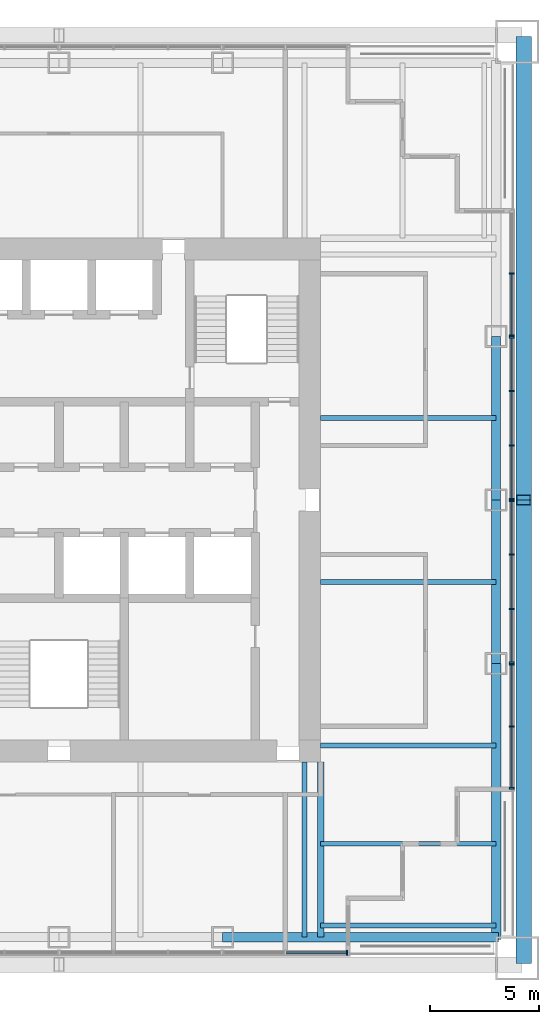
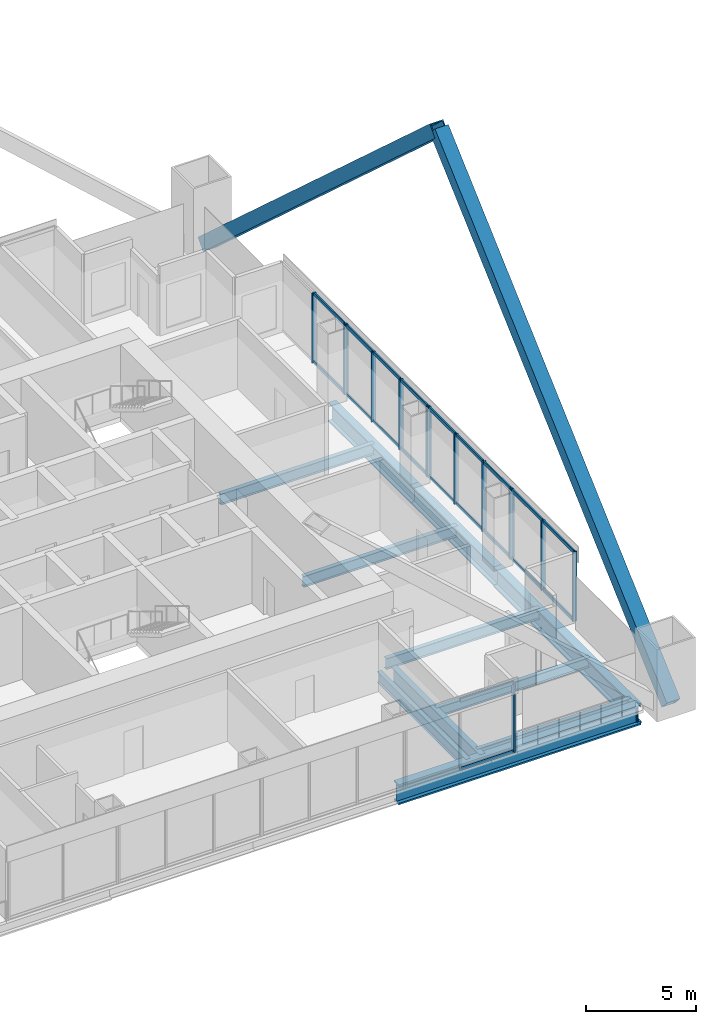
# One storey, part 5 of 13: 36 members, 11 beams, 5 elements without a shape of their own.
"""IFC4 building model written with IfcOpenShell, lengths in metres."""

from ifc_helpers import new_model, si_unit, direction, frame, origin, origin_2d, place, context, subcontext, project, spatial, rectangle, hollow_rectangle, i_section, extrude, material, material_profile, profile_set, type_object, element, aggregate, save


model = new_model("IFC4")

# Units and contexts
model_context = context("Model", 3, precision=1e-05, world=origin(), true_north=direction((0.0, 1.0)))
body_context = subcontext(model_context, "Body", "Model", "MODEL_VIEW")
ifc_project = project(units=[si_unit("LENGTHUNIT", "METRE"), si_unit("AREAUNIT", "SQUARE_METRE"), si_unit("VOLUMEUNIT", "CUBIC_METRE"), si_unit("PLANEANGLEUNIT", "RADIAN"), si_unit("MASSUNIT", "GRAM", prefix="KILO")], contexts=[model_context])

# Site, building, storey
site_placement = place(None, origin())
site = spatial("IfcSite", under=ifc_project, at=site_placement, CompositionType="ELEMENT")
building_placement = place(site_placement, origin())
building = spatial("IfcBuilding", under=site, at=building_placement, Name="Tarangal Relay Tower", CompositionType="ELEMENT")
storey_placement = place(building_placement, frame((0.0, 0.0, 259.89990234375)))
storey = spatial("IfcBuildingStorey", under=building, at=storey_placement, Name="L56", CompositionType="ELEMENT", Elevation=259.89990234375)

# Beams
ifc_material_1 = material(Name="Steel ASTM A992", Category="steel")
ifc_material_profile_1 = material_profile(ifc_material_1, i_section(OverallWidth=0.21240234375, OverallDepth=0.543701171875, WebThickness=0.01318359375, FlangeThickness=0.021240234375, at=origin_2d()), Name="W21X83")
ifc_profile_set_1 = profile_set([ifc_material_profile_1], Name="Steel ASTM A992")
beam_type_1 = type_object("IfcBeamType", Name="Corner beam W21X83", PredefinedType="JOIST", material=ifc_profile_set_1)
for number, where, z_axis, x_axis, name in (
    (1, (12.0, -15.75, -0.421630859375), (1.0, 0.0, 0.0), (0.0, 1.0, 0.0), "Corner beam CB15 E L56"),
    (2, (12.0, -19.5, -0.421630859375), (1.0, 0.0, 0.0), (0.0, 1.0, 0.0), "Corner beam CB15 E L56"),
):
    element("IfcBeam", number, at=place(storey_placement, frame(where, z_axis=z_axis, x_axis=x_axis)), inside=storey, type_object=beam_type_1, Name=name, PredefinedType="JOIST", context=body_context, shape_type="SweptSolid", body=[
        extrude(i_section(OverallWidth=0.21240234375, OverallDepth=0.543701171875, WebThickness=0.01318359375, FlangeThickness=0.021240234375, at=origin_2d()), origin(), (0.0, 0.0, 1.0), 8.0400390625),
    ])
ifc_material_profile_2 = material_profile(ifc_material_1, i_section(OverallWidth=0.2919921875, OverallDepth=0.8408203125, WebThickness=0.0146484375, FlangeThickness=0.021728515625, at=origin_2d()), Name="W33X130")
ifc_profile_set_2 = profile_set([ifc_material_profile_2], Name="Steel ASTM A992")
beam_type_2 = type_object("IfcBeamType", Name="Corner girder W33X130", PredefinedType="BEAM", material=ifc_profile_set_2)
beam_placement = place(storey_placement, frame((12.0, -12.0, -0.5703125), z_axis=(0.0, -1.0, 0.0), x_axis=(1.0, 0.0, 0.0)))
element("IfcBeam", 3, at=beam_placement, inside=storey, type_object=beam_type_2, Name="Corner girder CG5 E L56", PredefinedType="BEAM", context=body_context, shape_type="SweptSolid", body=[
    extrude(i_section(OverallWidth=0.2919921875, OverallDepth=0.8408203125, WebThickness=0.0146484375, FlangeThickness=0.021728515625, at=origin_2d()), origin(), (0.0, 0.0, 1.0), 8.0400390625),
])
ifc_material_profile_3 = material_profile(ifc_material_1, i_section(OverallWidth=0.41162109375, OverallDepth=1.049072265625, WebThickness=0.033935546875, FlangeThickness=0.059814453125, at=origin_2d()), Name="W40X431")
ifc_profile_set_3 = profile_set([ifc_material_profile_3], Name="Steel ASTM A992")
beam_type_3 = type_object("IfcBeamType", Name="Edge girder W40X431", PredefinedType="SPANDREL", material=ifc_profile_set_3)
for number, where, z_axis, x_axis, name in (
    (4, (20.0400390625, 7.5, -0.67431640625), (0.0, -1.0, 0.0), (1.0, 0.0, 0.0), "Edge girder EG1 E L56"),
    (5, (20.0400390625, 0.0, -0.67431640625), (0.0, -1.0, 0.0), (1.0, 0.0, 0.0), "Edge girder EG1 E L56"),
):
    element("IfcBeam", number, at=place(storey_placement, frame(where, z_axis=z_axis, x_axis=x_axis)), inside=storey, type_object=beam_type_3, Name=name, PredefinedType="SPANDREL", context=body_context, shape_type="SweptSolid", body=[
        extrude(i_section(OverallWidth=0.41162109375, OverallDepth=1.049072265625, WebThickness=0.033935546875, FlangeThickness=0.059814453125, at=origin_2d()), origin(), (0.0, 0.0, 1.0), 7.5),
    ])
ifc_material_profile_4 = material_profile(ifc_material_1, i_section(OverallWidth=0.42919921875, OverallDepth=1.107421875, WebThickness=0.050048828125, FlangeThickness=0.08984375, at=origin_2d()), Name="W40X655")
ifc_profile_set_4 = profile_set([ifc_material_profile_4], Name="Steel ASTM A992")
beam_type_4 = type_object("IfcBeamType", Name="Edge girder W40X655", PredefinedType="SPANDREL", material=ifc_profile_set_4)
for number, where, z_axis, x_axis, name in (
    (6, (20.0400390625, -7.5, -0.70361328125), (0.0, -1.0, 0.0), (1.0, 0.0, 0.0), "Edge girder EG10 E L56"),
    (7, (20.14990234375, -20.0400390625, -0.70361328125), (-1.0, 0.0, 0.0), (0.0, -1.0, 0.0), "Edge girder EG10 S L56"),
):
    element("IfcBeam", number, at=place(storey_placement, frame(where, z_axis=z_axis, x_axis=x_axis)), inside=storey, type_object=beam_type_4, Name=name, PredefinedType="SPANDREL", context=body_context, shape_type="SweptSolid", body=[
        extrude(i_section(OverallWidth=0.42919921875, OverallDepth=1.107421875, WebThickness=0.050048828125, FlangeThickness=0.08984375, at=origin_2d()), origin(), (0.0, 0.0, 1.0), 12.64990234375),
    ])
ifc_material_profile_5 = material_profile(ifc_material_1, i_section(OverallWidth=0.228271484375, OverallDepth=0.607177734375, WebThickness=0.01123046875, FlangeThickness=0.017333984375, at=origin_2d()), Name="W24X76")
ifc_profile_set_5 = profile_set([ifc_material_profile_5], Name="Steel ASTM A992")
beam_type_5 = type_object("IfcBeamType", Name="Floor beam W24X76", PredefinedType="BEAM", material=ifc_profile_set_5)
for number, where, z_axis, x_axis, name in (
    (8, (12.0, 3.75, -0.453369140625), (1.0, 0.0, 0.0), (0.0, 1.0, 0.0), "Floor beam RB5 E L56"),
    (9, (12.0, -3.75, -0.453369140625), (1.0, 0.0, 0.0), (0.0, 1.0, 0.0), "Floor beam RB5 E L56"),
    (10, (12.0, -11.25, -0.453369140625), (1.0, 0.0, 0.0), (0.0, 1.0, 0.0), "Floor beam RB5 E L56"),
    (11, (11.25, -12.0, -0.453369140625), (0.0, -1.0, 0.0), (1.0, 0.0, 0.0), "Floor beam RB5 S L56"),
):
    element("IfcBeam", number, at=place(storey_placement, frame(where, z_axis=z_axis, x_axis=x_axis)), inside=storey, type_object=beam_type_5, Name=name, PredefinedType="BEAM", context=body_context, shape_type="SweptSolid", body=[
        extrude(i_section(OverallWidth=0.228271484375, OverallDepth=0.607177734375, WebThickness=0.01123046875, FlangeThickness=0.017333984375, at=origin_2d()), origin(), (0.0, 0.0, 1.0), 8.0400390625),
    ])

# Members
ifc_material_2 = material(Name="Steel ASTM A572 Grade 50", Category="steel")
ifc_material_profile_6 = material_profile(ifc_material_2, hollow_rectangle(XDim=0.699951171875, YDim=0.699951171875, WallThickness=0.052001953125, at=origin_2d()), Name="BOX700X700X52")
ifc_profile_set_6 = profile_set([ifc_material_profile_6], Name="Steel ASTM A572 Grade 50")
member_type_1 = type_object("IfcMemberType", Name="Mega brace BOX700X700X52", PredefinedType="BRACE", material=ifc_profile_set_6)
for number, where, z_axis, x_axis, name in (
    (12, (21.300048828125, 21.0, 0.0), (0.0, -0.741535779124, 0.670913323969), (1.0, 0.0, 0.0), "Mega brace MB4 E face module 1"),
    (13, (21.300048828125, -21.0, 0.0), (0.0, 0.741535779124, 0.670913323969), (-1.0, 0.0, 0.0), "Mega brace MB4 E face module 1"),
):
    element("IfcMember", number, at=place(storey_placement, frame(where, z_axis=z_axis, x_axis=x_axis)), inside=storey, type_object=member_type_1, Name=name, PredefinedType="BRACE", context=body_context, shape_type="SweptSolid", body=[
        extrude(hollow_rectangle(XDim=0.699951171875, YDim=0.699951171875, WallThickness=0.052001953125, at=origin_2d()), origin(), (0.0, 0.0, 1.0), 28.319580078125),
    ])

# Curtain wall, members
ifc_material_3 = material(Name="Unitised curtain wall, dark glass and black aluminium", Category="aluminium")
curtain_wall_type = type_object("IfcCurtainWallType", Name="Curtain wall CW-S", PredefinedType="USERDEFINED", material=ifc_material_3)
curtain_wall_1_placement = place(storey_placement, origin())
curtain_wall_1 = element("IfcCurtainWall", 14, at=curtain_wall_1_placement, inside=storey, type_object=curtain_wall_type, Name="Curtain wall CW-S E facade L56", ObjectType="UNITISED CURTAIN WALL", PredefinedType="USERDEFINED")
ifc_material_4 = material(Name="Black anodised aluminium mullion", Category="aluminium")
ifc_material_profile_7 = material_profile(ifc_material_4, rectangle(XDim=0.219970703125, YDim=0.074951171875, at=origin_2d()), Name="CW-SM 75X220")
ifc_profile_set_7 = profile_set([ifc_material_profile_7], Name="Black anodised aluminium mullion")
member_type_2 = type_object("IfcMemberType", Name="Mullion CW-S 75 x 220", PredefinedType="MULLION", material=ifc_profile_set_7)
member_1_placement = place(storey_placement, frame((20.75, 10.375, 0.0), z_axis=(0.0, 0.0, 1.0), x_axis=(1.0, 0.0, 0.0)))
member_1 = element("IfcMember", 15, at=member_1_placement, type_object=member_type_2, Name="CW-S mullion 2", PredefinedType="MULLION", context=body_context, shape_type="SweptSolid", body=[
    extrude(rectangle(XDim=0.219970703125, YDim=0.074951171875, at=origin_2d()), origin(), (0.0, 0.0, 1.0), 3.85009765625),
])
member_2_placement = place(storey_placement, frame((20.75, 7.53759765625, 0.0), z_axis=(0.0, 0.0, 1.0), x_axis=(1.0, 0.0, 0.0)))
member_2 = element("IfcMember", 16, at=member_2_placement, type_object=member_type_2, Name="CW-S mullion 3", PredefinedType="MULLION", context=body_context, shape_type="SweptSolid", body=[
    extrude(rectangle(XDim=0.219970703125, YDim=0.074951171875, at=origin_2d()), origin(), (0.0, 0.0, 1.0), 3.85009765625),
])

curtain_wall_2_placement = place(storey_placement, origin())
curtain_wall_2 = element("IfcCurtainWall", 17, at=curtain_wall_2_placement, inside=storey, type_object=curtain_wall_type, Name="Curtain wall CW-S E facade L56", ObjectType="UNITISED CURTAIN WALL", PredefinedType="USERDEFINED")
member_3_placement = place(storey_placement, frame((20.75, 7.46240234375, 0.0), z_axis=(0.0, 0.0, 1.0), x_axis=(1.0, 0.0, 0.0)))
member_3 = element("IfcMember", 18, at=member_3_placement, type_object=member_type_2, Name="CW-S mullion 1", PredefinedType="MULLION", context=body_context, shape_type="SweptSolid", body=[
    extrude(rectangle(XDim=0.219970703125, YDim=0.074951171875, at=origin_2d()), origin(), (0.0, 0.0, 1.0), 3.85009765625),
])
member_4_placement = place(storey_placement, frame((20.75, 5.0, 0.0), z_axis=(0.0, 0.0, 1.0), x_axis=(1.0, 0.0, 0.0)))
member_4 = element("IfcMember", 19, at=member_4_placement, type_object=member_type_2, Name="CW-S mullion 2", PredefinedType="MULLION", context=body_context, shape_type="SweptSolid", body=[
    extrude(rectangle(XDim=0.219970703125, YDim=0.074951171875, at=origin_2d()), origin(), (0.0, 0.0, 1.0), 3.85009765625),
])
member_5_placement = place(storey_placement, frame((20.75, 2.5, 0.0), z_axis=(0.0, 0.0, 1.0), x_axis=(1.0, 0.0, 0.0)))
member_5 = element("IfcMember", 20, at=member_5_placement, type_object=member_type_2, Name="CW-S mullion 3", PredefinedType="MULLION", context=body_context, shape_type="SweptSolid", body=[
    extrude(rectangle(XDim=0.219970703125, YDim=0.074951171875, at=origin_2d()), origin(), (0.0, 0.0, 1.0), 3.85009765625),
])
member_6_placement = place(storey_placement, frame((20.75, 0.03759765625, 0.0), z_axis=(0.0, 0.0, 1.0), x_axis=(1.0, 0.0, 0.0)))
member_6 = element("IfcMember", 21, at=member_6_placement, type_object=member_type_2, Name="CW-S mullion 4", PredefinedType="MULLION", context=body_context, shape_type="SweptSolid", body=[
    extrude(rectangle(XDim=0.219970703125, YDim=0.074951171875, at=origin_2d()), origin(), (0.0, 0.0, 1.0), 3.85009765625),
])

curtain_wall_3_placement = place(storey_placement, origin())
curtain_wall_3 = element("IfcCurtainWall", 22, at=curtain_wall_3_placement, inside=storey, type_object=curtain_wall_type, Name="Curtain wall CW-S E facade L56", ObjectType="UNITISED CURTAIN WALL", PredefinedType="USERDEFINED")
member_7_placement = place(storey_placement, frame((20.75, -0.03759765625, 0.0), z_axis=(0.0, 0.0, 1.0), x_axis=(1.0, 0.0, 0.0)))
member_7 = element("IfcMember", 23, at=member_7_placement, type_object=member_type_2, Name="CW-S mullion 1", PredefinedType="MULLION", context=body_context, shape_type="SweptSolid", body=[
    extrude(rectangle(XDim=0.219970703125, YDim=0.074951171875, at=origin_2d()), origin(), (0.0, 0.0, 1.0), 3.85009765625),
])
member_8_placement = place(storey_placement, frame((20.75, -2.5, 0.0), z_axis=(0.0, 0.0, 1.0), x_axis=(1.0, 0.0, 0.0)))
member_8 = element("IfcMember", 24, at=member_8_placement, type_object=member_type_2, Name="CW-S mullion 2", PredefinedType="MULLION", context=body_context, shape_type="SweptSolid", body=[
    extrude(rectangle(XDim=0.219970703125, YDim=0.074951171875, at=origin_2d()), origin(), (0.0, 0.0, 1.0), 3.85009765625),
])
member_9_placement = place(storey_placement, frame((20.75, -5.0, 0.0), z_axis=(0.0, 0.0, 1.0), x_axis=(1.0, 0.0, 0.0)))
member_9 = element("IfcMember", 25, at=member_9_placement, type_object=member_type_2, Name="CW-S mullion 3", PredefinedType="MULLION", context=body_context, shape_type="SweptSolid", body=[
    extrude(rectangle(XDim=0.219970703125, YDim=0.074951171875, at=origin_2d()), origin(), (0.0, 0.0, 1.0), 3.85009765625),
])
member_10_placement = place(storey_placement, frame((20.75, -7.46240234375, 0.0), z_axis=(0.0, 0.0, 1.0), x_axis=(1.0, 0.0, 0.0)))
member_10 = element("IfcMember", 26, at=member_10_placement, type_object=member_type_2, Name="CW-S mullion 4", PredefinedType="MULLION", context=body_context, shape_type="SweptSolid", body=[
    extrude(rectangle(XDim=0.219970703125, YDim=0.074951171875, at=origin_2d()), origin(), (0.0, 0.0, 1.0), 3.85009765625),
])

curtain_wall_4_placement = place(storey_placement, origin())
curtain_wall_4 = element("IfcCurtainWall", 27, at=curtain_wall_4_placement, inside=storey, type_object=curtain_wall_type, Name="Curtain wall CW-S E facade L56", ObjectType="UNITISED CURTAIN WALL", PredefinedType="USERDEFINED")
member_11_placement = place(storey_placement, frame((20.75, -7.53759765625, 0.0), z_axis=(0.0, 0.0, 1.0), x_axis=(1.0, 0.0, 0.0)))
member_11 = element("IfcMember", 28, at=member_11_placement, type_object=member_type_2, Name="CW-S mullion 1", PredefinedType="MULLION", context=body_context, shape_type="SweptSolid", body=[
    extrude(rectangle(XDim=0.219970703125, YDim=0.074951171875, at=origin_2d()), origin(), (0.0, 0.0, 1.0), 3.85009765625),
])
member_12_placement = place(storey_placement, frame((20.75, -10.375, 0.0), z_axis=(0.0, 0.0, 1.0), x_axis=(1.0, 0.0, 0.0)))
member_12 = element("IfcMember", 29, at=member_12_placement, type_object=member_type_2, Name="CW-S mullion 2", PredefinedType="MULLION", context=body_context, shape_type="SweptSolid", body=[
    extrude(rectangle(XDim=0.219970703125, YDim=0.074951171875, at=origin_2d()), origin(), (0.0, 0.0, 1.0), 3.85009765625),
])
member_13_placement = place(storey_placement, frame((20.75, -13.21240234375, 0.0), z_axis=(0.0, 0.0, 1.0), x_axis=(1.0, 0.0, 0.0)))
member_13 = element("IfcMember", 30, at=member_13_placement, type_object=member_type_2, Name="CW-S mullion 3", PredefinedType="MULLION", context=body_context, shape_type="SweptSolid", body=[
    extrude(rectangle(XDim=0.219970703125, YDim=0.074951171875, at=origin_2d()), origin(), (0.0, 0.0, 1.0), 3.85009765625),
])

# Curtain wall, member
curtain_wall_5_placement = place(storey_placement, origin())
curtain_wall_5 = element("IfcCurtainWall", 31, at=curtain_wall_5_placement, inside=storey, type_object=curtain_wall_type, Name="Curtain wall CW-S S facade L56", ObjectType="UNITISED CURTAIN WALL", PredefinedType="USERDEFINED")
member_14_placement = place(storey_placement, frame((13.21240234375, -20.75, 0.0), z_axis=(0.0, 0.0, 1.0), x_axis=(0.0, -1.0, 0.0)))
member_14 = element("IfcMember", 32, at=member_14_placement, type_object=member_type_2, Name="CW-S mullion 1", PredefinedType="MULLION", context=body_context, shape_type="SweptSolid", body=[
    extrude(rectangle(XDim=0.219970703125, YDim=0.074951171875, at=origin_2d()), origin(), (0.0, 0.0, 1.0), 3.85009765625),
])

# Member
ifc_material_5 = material(Name="Black anodised aluminium transom", Category="aluminium")
ifc_material_profile_8 = material_profile(ifc_material_5, rectangle(XDim=0.074951171875, YDim=0.179931640625, at=origin_2d()), Name="CW-ST 75X180")
ifc_profile_set_8 = profile_set([ifc_material_profile_8], Name="Black anodised aluminium transom")
member_type_3 = type_object("IfcMemberType", Name="Transom CW-S 75 x 180", PredefinedType="USERDEFINED", material=ifc_profile_set_8)
member_15_placement = place(storey_placement, frame((20.75, 10.33740234375, 0.03759765625), z_axis=(0.0, -1.0, 0.0), x_axis=(1.0, 0.0, 0.0)))
member_15 = element("IfcMember", 33, at=member_15_placement, type_object=member_type_3, Name="CW-S transom 2.1", ObjectType="TRANSOM", PredefinedType="USERDEFINED", context=body_context, shape_type="SweptSolid", body=[
    extrude(rectangle(XDim=0.074951171875, YDim=0.179931640625, at=origin_2d()), origin(), (0.0, 0.0, 1.0), 2.762451171875),
])

member_16_placement = place(storey_placement, frame((20.75, 10.33740234375, 3.8125), z_axis=(0.0, -1.0, 0.0), x_axis=(1.0, 0.0, 0.0)))
member_16 = element("IfcMember", 34, at=member_16_placement, type_object=member_type_3, Name="CW-S transom 2.2", ObjectType="TRANSOM", PredefinedType="USERDEFINED", context=body_context, shape_type="SweptSolid", body=[
    extrude(rectangle(XDim=0.074951171875, YDim=0.179931640625, at=origin_2d()), origin(), (0.0, 0.0, 1.0), 2.762451171875),
])

aggregate(curtain_wall_1, [member_1, member_2, member_15, member_16])

member_17_placement = place(storey_placement, frame((20.75, 7.425048828125, 0.03759765625), z_axis=(0.0, -1.0, 0.0), x_axis=(1.0, 0.0, 0.0)))
member_17 = element("IfcMember", 35, at=member_17_placement, type_object=member_type_3, Name="CW-S transom 1.1", ObjectType="TRANSOM", PredefinedType="USERDEFINED", context=body_context, shape_type="SweptSolid", body=[
    extrude(rectangle(XDim=0.074951171875, YDim=0.179931640625, at=origin_2d()), origin(), (0.0, 0.0, 1.0), 2.387451171875),
])

member_18_placement = place(storey_placement, frame((20.75, 7.425048828125, 3.8125), z_axis=(0.0, -1.0, 0.0), x_axis=(1.0, 0.0, 0.0)))
member_18 = element("IfcMember", 36, at=member_18_placement, type_object=member_type_3, Name="CW-S transom 1.2", ObjectType="TRANSOM", PredefinedType="USERDEFINED", context=body_context, shape_type="SweptSolid", body=[
    extrude(rectangle(XDim=0.074951171875, YDim=0.179931640625, at=origin_2d()), origin(), (0.0, 0.0, 1.0), 2.387451171875),
])

member_19_placement = place(storey_placement, frame((20.75, 4.96240234375, 0.03759765625), z_axis=(0.0, -1.0, 0.0), x_axis=(1.0, 0.0, 0.0)))
member_19 = element("IfcMember", 37, at=member_19_placement, type_object=member_type_3, Name="CW-S transom 2.1", ObjectType="TRANSOM", PredefinedType="USERDEFINED", context=body_context, shape_type="SweptSolid", body=[
    extrude(rectangle(XDim=0.074951171875, YDim=0.179931640625, at=origin_2d()), origin(), (0.0, 0.0, 1.0), 2.4248046875),
])

member_20_placement = place(storey_placement, frame((20.75, 4.96240234375, 3.8125), z_axis=(0.0, -1.0, 0.0), x_axis=(1.0, 0.0, 0.0)))
member_20 = element("IfcMember", 38, at=member_20_placement, type_object=member_type_3, Name="CW-S transom 2.2", ObjectType="TRANSOM", PredefinedType="USERDEFINED", context=body_context, shape_type="SweptSolid", body=[
    extrude(rectangle(XDim=0.074951171875, YDim=0.179931640625, at=origin_2d()), origin(), (0.0, 0.0, 1.0), 2.4248046875),
])

member_21_placement = place(storey_placement, frame((20.75, 2.46240234375, 0.03759765625), z_axis=(0.0, -1.0, 0.0), x_axis=(1.0, 0.0, 0.0)))
member_21 = element("IfcMember", 39, at=member_21_placement, type_object=member_type_3, Name="CW-S transom 3.1", ObjectType="TRANSOM", PredefinedType="USERDEFINED", context=body_context, shape_type="SweptSolid", body=[
    extrude(rectangle(XDim=0.074951171875, YDim=0.179931640625, at=origin_2d()), origin(), (0.0, 0.0, 1.0), 2.387451171875),
])

member_22_placement = place(storey_placement, frame((20.75, 2.46240234375, 3.8125), z_axis=(0.0, -1.0, 0.0), x_axis=(1.0, 0.0, 0.0)))
member_22 = element("IfcMember", 40, at=member_22_placement, type_object=member_type_3, Name="CW-S transom 3.2", ObjectType="TRANSOM", PredefinedType="USERDEFINED", context=body_context, shape_type="SweptSolid", body=[
    extrude(rectangle(XDim=0.074951171875, YDim=0.179931640625, at=origin_2d()), origin(), (0.0, 0.0, 1.0), 2.387451171875),
])

aggregate(curtain_wall_2, [member_3, member_4, member_5, member_6, member_17, member_18, member_19, member_20, member_21, member_22])

member_23_placement = place(storey_placement, frame((20.75, -0.074951171875, 0.03759765625), z_axis=(0.0, -1.0, 0.0), x_axis=(1.0, 0.0, 0.0)))
member_23 = element("IfcMember", 41, at=member_23_placement, type_object=member_type_3, Name="CW-S transom 1.1", ObjectType="TRANSOM", PredefinedType="USERDEFINED", context=body_context, shape_type="SweptSolid", body=[
    extrude(rectangle(XDim=0.074951171875, YDim=0.179931640625, at=origin_2d()), origin(), (0.0, 0.0, 1.0), 2.387451171875),
])

member_24_placement = place(storey_placement, frame((20.75, -0.074951171875, 3.8125), z_axis=(0.0, -1.0, 0.0), x_axis=(1.0, 0.0, 0.0)))
member_24 = element("IfcMember", 42, at=member_24_placement, type_object=member_type_3, Name="CW-S transom 1.2", ObjectType="TRANSOM", PredefinedType="USERDEFINED", context=body_context, shape_type="SweptSolid", body=[
    extrude(rectangle(XDim=0.074951171875, YDim=0.179931640625, at=origin_2d()), origin(), (0.0, 0.0, 1.0), 2.387451171875),
])

member_25_placement = place(storey_placement, frame((20.75, -2.53759765625, 0.03759765625), z_axis=(0.0, -1.0, 0.0), x_axis=(1.0, 0.0, 0.0)))
member_25 = element("IfcMember", 43, at=member_25_placement, type_object=member_type_3, Name="CW-S transom 2.1", ObjectType="TRANSOM", PredefinedType="USERDEFINED", context=body_context, shape_type="SweptSolid", body=[
    extrude(rectangle(XDim=0.074951171875, YDim=0.179931640625, at=origin_2d()), origin(), (0.0, 0.0, 1.0), 2.4248046875),
])

member_26_placement = place(storey_placement, frame((20.75, -2.53759765625, 3.8125), z_axis=(0.0, -1.0, 0.0), x_axis=(1.0, 0.0, 0.0)))
member_26 = element("IfcMember", 44, at=member_26_placement, type_object=member_type_3, Name="CW-S transom 2.2", ObjectType="TRANSOM", PredefinedType="USERDEFINED", context=body_context, shape_type="SweptSolid", body=[
    extrude(rectangle(XDim=0.074951171875, YDim=0.179931640625, at=origin_2d()), origin(), (0.0, 0.0, 1.0), 2.4248046875),
])

member_27_placement = place(storey_placement, frame((20.75, -5.03759765625, 0.03759765625), z_axis=(0.0, -1.0, 0.0), x_axis=(1.0, 0.0, 0.0)))
member_27 = element("IfcMember", 45, at=member_27_placement, type_object=member_type_3, Name="CW-S transom 3.1", ObjectType="TRANSOM", PredefinedType="USERDEFINED", context=body_context, shape_type="SweptSolid", body=[
    extrude(rectangle(XDim=0.074951171875, YDim=0.179931640625, at=origin_2d()), origin(), (0.0, 0.0, 1.0), 2.387451171875),
])

member_28_placement = place(storey_placement, frame((20.75, -5.03759765625, 3.8125), z_axis=(0.0, -1.0, 0.0), x_axis=(1.0, 0.0, 0.0)))
member_28 = element("IfcMember", 46, at=member_28_placement, type_object=member_type_3, Name="CW-S transom 3.2", ObjectType="TRANSOM", PredefinedType="USERDEFINED", context=body_context, shape_type="SweptSolid", body=[
    extrude(rectangle(XDim=0.074951171875, YDim=0.179931640625, at=origin_2d()), origin(), (0.0, 0.0, 1.0), 2.387451171875),
])

aggregate(curtain_wall_3, [member_7, member_8, member_9, member_10, member_23, member_24, member_25, member_26, member_27, member_28])

member_29_placement = place(storey_placement, frame((20.75, -7.574951171875, 0.03759765625), z_axis=(0.0, -1.0, 0.0), x_axis=(1.0, 0.0, 0.0)))
member_29 = element("IfcMember", 47, at=member_29_placement, type_object=member_type_3, Name="CW-S transom 1.1", ObjectType="TRANSOM", PredefinedType="USERDEFINED", context=body_context, shape_type="SweptSolid", body=[
    extrude(rectangle(XDim=0.074951171875, YDim=0.179931640625, at=origin_2d()), origin(), (0.0, 0.0, 1.0), 2.762451171875),
])

member_30_placement = place(storey_placement, frame((20.75, -7.574951171875, 3.8125), z_axis=(0.0, -1.0, 0.0), x_axis=(1.0, 0.0, 0.0)))
member_30 = element("IfcMember", 48, at=member_30_placement, type_object=member_type_3, Name="CW-S transom 1.2", ObjectType="TRANSOM", PredefinedType="USERDEFINED", context=body_context, shape_type="SweptSolid", body=[
    extrude(rectangle(XDim=0.074951171875, YDim=0.179931640625, at=origin_2d()), origin(), (0.0, 0.0, 1.0), 2.762451171875),
])

member_31_placement = place(storey_placement, frame((20.75, -10.41259765625, 0.03759765625), z_axis=(0.0, -1.0, 0.0), x_axis=(1.0, 0.0, 0.0)))
member_31 = element("IfcMember", 49, at=member_31_placement, type_object=member_type_3, Name="CW-S transom 2.1", ObjectType="TRANSOM", PredefinedType="USERDEFINED", context=body_context, shape_type="SweptSolid", body=[
    extrude(rectangle(XDim=0.074951171875, YDim=0.179931640625, at=origin_2d()), origin(), (0.0, 0.0, 1.0), 2.762451171875),
])

member_32_placement = place(storey_placement, frame((20.75, -10.41259765625, 3.8125), z_axis=(0.0, -1.0, 0.0), x_axis=(1.0, 0.0, 0.0)))
member_32 = element("IfcMember", 50, at=member_32_placement, type_object=member_type_3, Name="CW-S transom 2.2", ObjectType="TRANSOM", PredefinedType="USERDEFINED", context=body_context, shape_type="SweptSolid", body=[
    extrude(rectangle(XDim=0.074951171875, YDim=0.179931640625, at=origin_2d()), origin(), (0.0, 0.0, 1.0), 2.762451171875),
])

aggregate(curtain_wall_4, [member_11, member_12, member_13, member_29, member_30, member_31, member_32])

member_33_placement = place(storey_placement, frame((13.175048828125, -20.75, 0.03759765625), z_axis=(-1.0, 0.0, 0.0), x_axis=(0.0, -1.0, 0.0)))
member_33 = element("IfcMember", 51, at=member_33_placement, type_object=member_type_3, Name="CW-S transom 1.1", ObjectType="TRANSOM", PredefinedType="USERDEFINED", context=body_context, shape_type="SweptSolid", body=[
    extrude(rectangle(XDim=0.074951171875, YDim=0.179931640625, at=origin_2d()), origin(), (0.0, 0.0, 1.0), 2.762451171875),
])

member_34_placement = place(storey_placement, frame((13.175048828125, -20.75, 3.8125), z_axis=(-1.0, 0.0, 0.0), x_axis=(0.0, -1.0, 0.0)))
member_34 = element("IfcMember", 52, at=member_34_placement, type_object=member_type_3, Name="CW-S transom 1.2", ObjectType="TRANSOM", PredefinedType="USERDEFINED", context=body_context, shape_type="SweptSolid", body=[
    extrude(rectangle(XDim=0.074951171875, YDim=0.179931640625, at=origin_2d()), origin(), (0.0, 0.0, 1.0), 2.762451171875),
])

aggregate(curtain_wall_5, [member_14, member_33, member_34])

save(model, "model.ifc")
